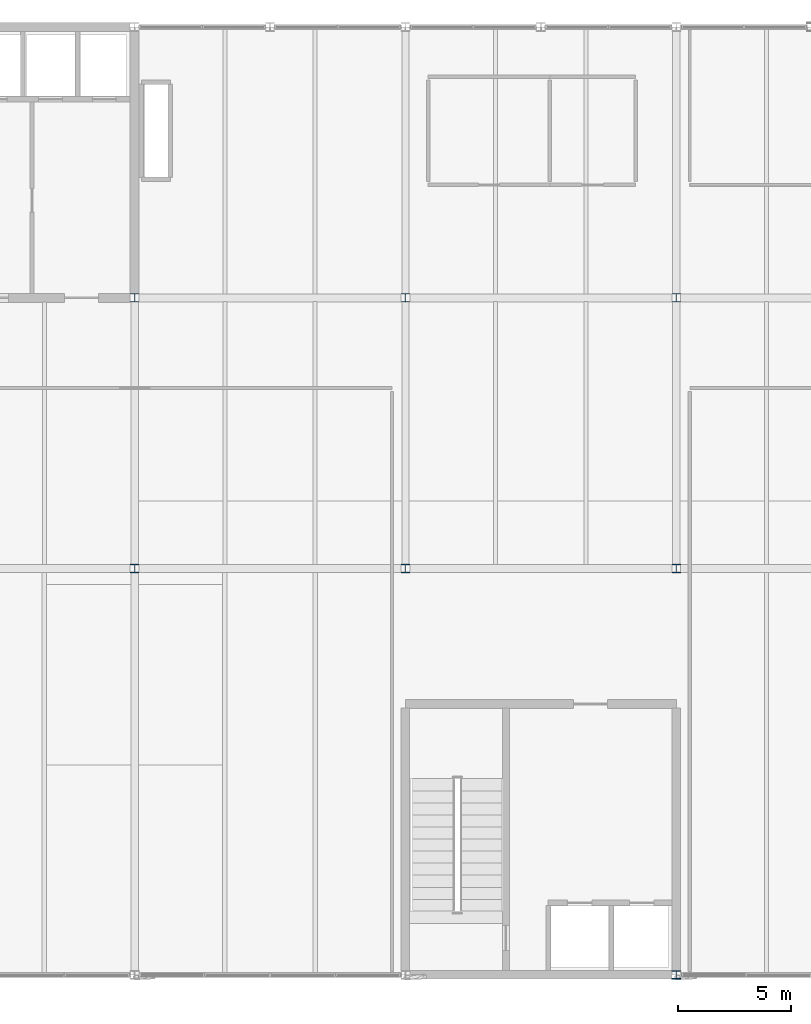
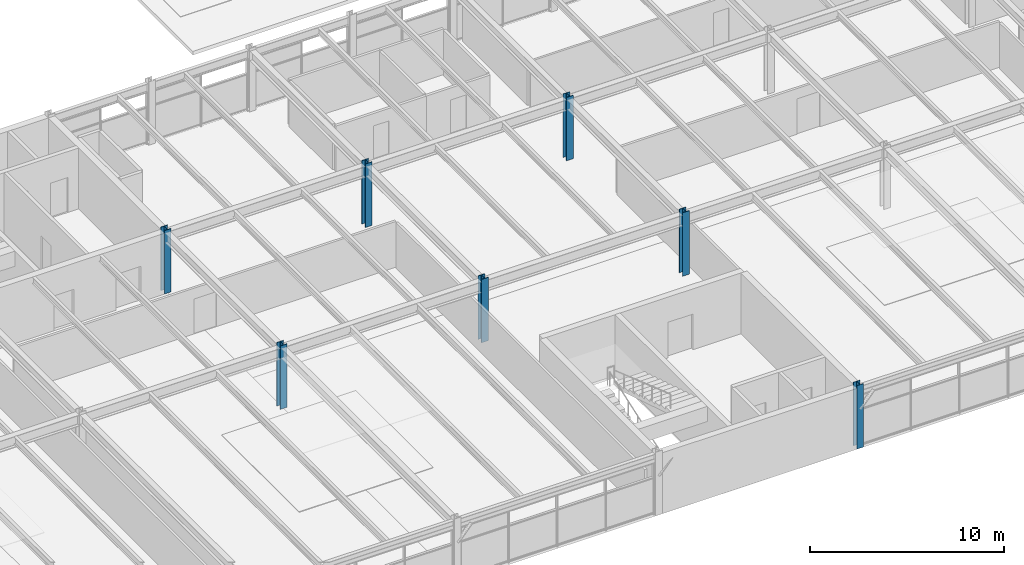
# One storey, part 2 of 49: 7 columns.
"""IFC4 building model written with IfcOpenShell, lengths in metres."""

import ifcopenshell
import ifcopenshell.guid

model = None  # the IFC model being written
_history = None  # IfcOwnerHistory: only IFC2X3 demands one
_inside = {}  # id of a spatial element -> (the spatial element, [elements in it])
_under = {}  # id of a project, library or spatial element -> (it, [spatial elements below it])
_declared = {}  # id of a project -> (the project, [libraries it declares])
_typed = {}  # id of a type object -> (the type object, [elements of that type])
_made_of = {}  # id of a material, layer set ... -> (it, [elements and type objects made of it])


def new_model(schema):
    """Start an empty IFC model of exactly this schema.

    Asked for "IFC4X3", IfcOpenShell would pick the latest addendum, in which some entities
    have other attributes; the version numbers below select the first issue.
    IFC2X3 requires an IfcOwnerHistory on every rooted entity: one is made here for all.
    """
    global model, _history
    if schema == "IFC4X3":
        model = ifcopenshell.file(schema_version=(4, 3, 0, 0))
    else:
        model = ifcopenshell.file(schema=schema)
    _inside.clear()
    _under.clear()
    _declared.clear()
    _typed.clear()
    _made_of.clear()
    _history = None
    if model.schema == "IFC2X3":
        org = make("IfcOrganization", Name="unknown")
        user = make(
            "IfcPersonAndOrganization",
            ThePerson=make("IfcPerson", FamilyName="unknown"),
            TheOrganization=org,
        )
        app = make(
            "IfcApplication",
            ApplicationDeveloper=org,
            Version="unknown",
            ApplicationFullName="unknown",
            ApplicationIdentifier="unknown",
        )
        _history = make(
            "IfcOwnerHistory",
            OwningUser=user,
            OwningApplication=app,
            ChangeAction="ADDED",
            CreationDate=0,
        )
    return model


def make(cls, **values):
    """One entity of the class cls with the attributes given. An attribute that is None is left unset."""
    return model.create_entity(
        cls, **{name: value for name, value in values.items() if value is not None}
    )


def rooted(cls, **values):
    """An entity with a GlobalId (a new one), such as an element, a storey or a relation."""
    return make(cls, GlobalId=ifcopenshell.guid.new(), OwnerHistory=_history, **values)


def si_unit(unit_type, name, prefix=None):
    """IfcSIUnit, for example si_unit("LENGTHUNIT", "METRE", prefix="MILLI")."""
    return make("IfcSIUnit", UnitType=unit_type, Prefix=prefix, Name=name)


def assignment(units):
    """IfcUnitAssignment: the units of a project."""
    return None if units is None else make("IfcUnitAssignment", Units=units)


def point(xyz):
    """IfcCartesianPoint."""
    return None if xyz is None else make("IfcCartesianPoint", Coordinates=xyz)


def direction(xyz):
    """IfcDirection."""
    return None if xyz is None else make("IfcDirection", DirectionRatios=xyz)


def frame(location, z_axis=None, x_axis=None):
    """IfcAxis2Placement3D, a coordinate frame: its origin and axes. An axis left out is left unset."""
    return make(
        "IfcAxis2Placement3D",
        Location=point(location),
        Axis=direction(z_axis),
        RefDirection=direction(x_axis),
    )


def frame_2d(location, x_axis=None):
    """IfcAxis2Placement2D, a coordinate frame in the plane: its origin and x axis."""
    return make(
        "IfcAxis2Placement2D", Location=point(location), RefDirection=direction(x_axis)
    )


def origin():
    """The frame at (0, 0, 0) with its axes left unset."""
    return frame((0.0, 0.0, 0.0))


def origin_2d():
    """The frame at (0, 0) in the plane with its x axis left unset."""
    return frame_2d((0.0, 0.0))


def place(relative_to, where):
    """IfcLocalPlacement: puts the frame where relative to a parent placement (None: the world)."""
    return make(
        "IfcLocalPlacement", PlacementRelTo=relative_to, RelativePlacement=where
    )


def context(
    kind, dimensions, precision=None, world=None, true_north=None, identifier=None
):
    """IfcGeometricRepresentationContext, for example the 3D "Model" context."""
    return make(
        "IfcGeometricRepresentationContext",
        ContextIdentifier=identifier,
        ContextType=kind,
        CoordinateSpaceDimension=dimensions,
        Precision=precision,
        WorldCoordinateSystem=world,
        TrueNorth=true_north,
    )


def subcontext(parent, identifier, kind, view, scale=None):
    """IfcGeometricRepresentationSubContext, for example "Body" below "Model"."""
    return make(
        "IfcGeometricRepresentationSubContext",
        ContextIdentifier=identifier,
        ContextType=kind,
        ParentContext=parent,
        TargetScale=scale,
        TargetView=view,
    )


def project(units=None, contexts=None):
    """IfcProject with its units and contexts."""
    return rooted(
        "IfcProject",
        Name="project",
        RepresentationContexts=contexts,
        UnitsInContext=assignment(units),
    )


def spatial(cls, under=None, at=None, **own):
    """A site, building, storey or space (cls), placed at a placement, below another one or the project."""
    s = rooted(cls, ObjectPlacement=at, **own)
    if under is not None:
        _under.setdefault(under.id(), (under, []))[1].append(s)
    return s


def profile(cls, at=None, kind="AREA", **sizes):
    """A parametric profile (cls). Its sizes go by their IFC names, for example OverallWidth=200.0."""
    return make(cls, ProfileType=kind, Position=at, **sizes)


def i_section(**sizes):
    """IfcIShapeProfileDef."""
    return profile("IfcIShapeProfileDef", **sizes)


def extrude(swept, where, along, depth):
    """IfcExtrudedAreaSolid: the profile swept, set in the frame where, extruded along a direction by depth."""
    return make(
        "IfcExtrudedAreaSolid",
        SweptArea=swept,
        Position=where,
        ExtrudedDirection=direction(along),
        Depth=depth,
    )


def shape(context_of_items, identifier, shape_type, items):
    """IfcShapeRepresentation: the items that make up one representation, for example the "Body"."""
    return make(
        "IfcShapeRepresentation",
        ContextOfItems=context_of_items,
        RepresentationIdentifier=identifier,
        RepresentationType=shape_type,
        Items=items,
    )


def material(Name=None, Category=None):
    """IfcMaterial."""
    return make("IfcMaterial", Name=Name, Category=Category)


def material_profile(
    of_material, cross_section, Name=None, Category=None, Priority=None
):
    """IfcMaterialProfile: a cross section and its material."""
    return make(
        "IfcMaterialProfile",
        Name=Name,
        Material=of_material,
        Profile=cross_section,
        Priority=Priority,
        Category=Category,
    )


def profile_set(profiles, Name=None, composite=None):
    """IfcMaterialProfileSet."""
    return make(
        "IfcMaterialProfileSet",
        Name=Name,
        MaterialProfiles=profiles,
        CompositeProfile=composite,
    )


def made_of(thing, what):
    """Note that an element or type object is made of a material, layer set ...; save() writes the relation."""
    if what is not None:
        _made_of.setdefault(what.id(), (what, []))[1].append(thing)
    return thing


def type_object(cls, material=None, **own):
    """A type object (cls), such as IfcWallType, which elements share."""
    return made_of(rooted(cls, **own), material)


def element(
    cls,
    number,
    at=None,
    inside=None,
    cuts=None,
    type_object=None,
    material=None,
    context=None,
    identifier="Body",
    shape_type=None,
    held_by="IfcProductDefinitionShape",
    body=None,
    shapes=None,
    **own,
):
    """One element of the class cls, such as IfcWall. Its Tag is "e" and its number.

    at: its placement. inside: the storey or other place that contains it. cuts: it is an
    opening in that element (IfcRelVoidsElement). A single representation is given by context,
    identifier, shape_type and body (its items); several are given by shapes. held_by: the class
    of the entity that holds the representations. save() writes the other relations.
    """
    e = rooted(cls, Tag="e%d" % number, ObjectPlacement=at, **own)
    if body is not None:
        shapes = [shape(context, identifier, shape_type, body)]
    if shapes is not None:
        e.Representation = make(held_by, Representations=shapes)
    if inside is not None:
        _inside.setdefault(inside.id(), (inside, []))[1].append(e)
    if cuts is not None:
        rooted(
            "IfcRelVoidsElement", RelatingBuildingElement=cuts, RelatedOpeningElement=e
        )
    if type_object is not None:
        _typed.setdefault(type_object.id(), (type_object, []))[1].append(e)
    return made_of(e, material)


def aggregate(whole, parts):
    """IfcRelAggregates: a whole, such as a stair, and the parts it consists of."""
    return rooted("IfcRelAggregates", RelatingObject=whole, RelatedObjects=parts)


def save(model, path):
    """Write the relations noted so far, then the file.

    IfcRelAggregates (storeys below a building ...), IfcRelContainedInSpatialStructure (elements
    in a storey), IfcRelDefinesByType, IfcRelAssociatesMaterial and IfcRelDeclares: one each for
    every whole, place, type object, material and project.
    """
    for whole, parts in _under.values():
        aggregate(whole, parts)
    for where, things in _inside.values():
        rooted(
            "IfcRelContainedInSpatialStructure",
            RelatedElements=things,
            RelatingStructure=where,
        )
    for kind, things in _typed.values():
        rooted("IfcRelDefinesByType", RelatedObjects=things, RelatingType=kind)
    for what, things in _made_of.values():
        rooted("IfcRelAssociatesMaterial", RelatedObjects=things, RelatingMaterial=what)
    for by, libraries in _declared.values():
        rooted("IfcRelDeclares", RelatingContext=by, RelatedDefinitions=libraries)
    model.write(path)


model = new_model("IFC4")

# Units and contexts
model_context = context("Model", 3, precision=1e-05, world=origin(), true_north=direction((0.0, 1.0)))
body_context = subcontext(model_context, "Body", "Model", "MODEL_VIEW")
ifc_project = project(units=[si_unit("LENGTHUNIT", "METRE"), si_unit("AREAUNIT", "SQUARE_METRE"), si_unit("VOLUMEUNIT", "CUBIC_METRE"), si_unit("PLANEANGLEUNIT", "RADIAN"), si_unit("MASSUNIT", "GRAM", prefix="KILO")], contexts=[model_context])

# Site, building, storey
site_placement = place(None, origin())
site = spatial("IfcSite", under=ifc_project, at=site_placement, CompositionType="ELEMENT")
building_placement = place(site_placement, origin())
building = spatial("IfcBuilding", under=site, at=building_placement, Name="Girod Span Mobility Hub", CompositionType="ELEMENT")
storey_placement = place(building_placement, frame((0.0, 0.0, 37.60009765625)))
storey = spatial("IfcBuildingStorey", under=building, at=storey_placement, Name="L09", CompositionType="ELEMENT", Elevation=37.60009765625)

# Columns
ifc_material_1 = material(Name="Steel A992 Grade 50", Category="steel")
ifc_material_profile_1 = material_profile(ifc_material_1, i_section(OverallWidth=0.39404296875, OverallDepth=0.375, WebThickness=0.017333984375, FlangeThickness=0.027587890625, FilletRadius=0.01806640625, at=origin_2d()), Name="W14X145")
ifc_profile_set_1 = profile_set([ifc_material_profile_1], Name="Steel A992 Grade 50")
column_type_1 = type_object("IfcColumnType", Name="COL-STL-W14X145", PredefinedType="COLUMN", material=ifc_profile_set_1)
column_placement = place(storey_placement, frame((84.0, 27.0, 0.0), z_axis=(0.0, 0.0, 1.0), x_axis=(1.0, 0.0, 0.0)))
element("IfcColumn", 1, at=column_placement, inside=storey, type_object=column_type_1, Name="Column 8C L09", PredefinedType="COLUMN", context=body_context, shape_type="SweptSolid", body=[
    extrude(i_section(OverallWidth=0.39404296875, OverallDepth=0.375, WebThickness=0.017333984375, FlangeThickness=0.027587890625, FilletRadius=0.01806640625, at=origin_2d()), origin(), (0.0, 0.0, 1.0), 4.0),
])
ifc_material_2 = material(Name="Steel A992 Grade 50", Category="steel")
ifc_material_profile_2 = material_profile(ifc_material_2, i_section(OverallWidth=0.39892578125, OverallDepth=0.39306640625, WebThickness=0.022705078125, FlangeThickness=0.03662109375, FilletRadius=0.01806640625, at=origin_2d()), Name="W14X193")
ifc_profile_set_2 = profile_set([ifc_material_profile_2], Name="Steel A992 Grade 50")
column_type_2 = type_object("IfcColumnType", Name="COL-STL-W14X193", PredefinedType="COLUMN", material=ifc_profile_set_2)
for number, where, z_axis, x_axis, name in (
    (2, (60.0, 45.0, 0.0), (0.0, 0.0, 1.0), (1.0, 0.0, 0.0), "Column 6D L09"),
    (3, (60.0, 57.0, 0.0), (0.0, 0.0, 1.0), (1.0, 0.0, 0.0), "Column 6E L09"),
    (4, (72.0, 45.0, 0.0), (0.0, 0.0, 1.0), (1.0, 0.0, 0.0), "Column 7D L09"),
    (5, (72.0, 57.0, 0.0), (0.0, 0.0, 1.0), (1.0, 0.0, 0.0), "Column 7E L09"),
    (6, (84.0, 45.0, 0.0), (0.0, 0.0, 1.0), (1.0, 0.0, 0.0), "Column 8D L09"),
    (7, (84.0, 57.0, 0.0), (0.0, 0.0, 1.0), (1.0, 0.0, 0.0), "Column 8E L09"),
):
    element("IfcColumn", number, at=place(storey_placement, frame(where, z_axis=z_axis, x_axis=x_axis)), inside=storey, type_object=column_type_2, Name=name, PredefinedType="COLUMN", context=body_context, shape_type="SweptSolid", body=[
        extrude(i_section(OverallWidth=0.39892578125, OverallDepth=0.39306640625, WebThickness=0.022705078125, FlangeThickness=0.03662109375, FilletRadius=0.01806640625, at=origin_2d()), origin(), (0.0, 0.0, 1.0), 4.0),
    ])

save(model, "model.ifc")
